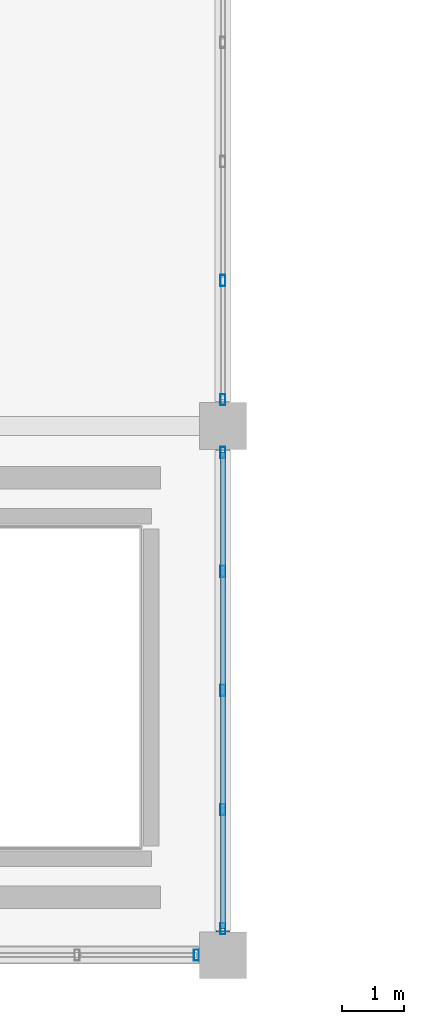
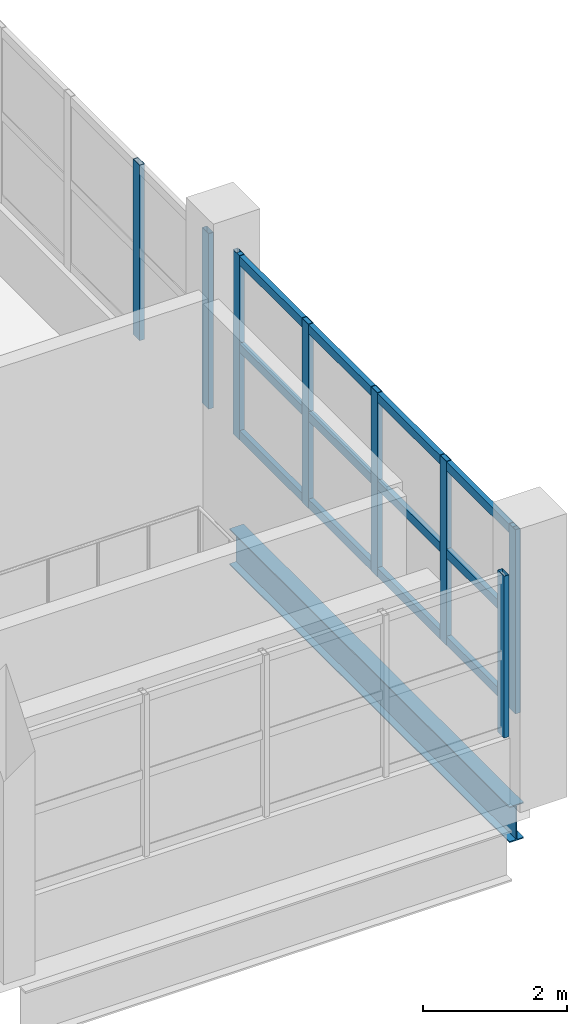
# One storey, part 43 of 77: 11 members, 1 beam, 3 elements without a shape of their own.
"""IFC4 building model written with IfcOpenShell, lengths in metres."""

import ifcopenshell
import ifcopenshell.guid

model = None  # the IFC model being written
_history = None  # IfcOwnerHistory: only IFC2X3 demands one
_inside = {}  # id of a spatial element -> (the spatial element, [elements in it])
_under = {}  # id of a project, library or spatial element -> (it, [spatial elements below it])
_declared = {}  # id of a project -> (the project, [libraries it declares])
_typed = {}  # id of a type object -> (the type object, [elements of that type])
_made_of = {}  # id of a material, layer set ... -> (it, [elements and type objects made of it])


def new_model(schema):
    """Start an empty IFC model of exactly this schema.

    Asked for "IFC4X3", IfcOpenShell would pick the latest addendum, in which some entities
    have other attributes; the version numbers below select the first issue.
    IFC2X3 requires an IfcOwnerHistory on every rooted entity: one is made here for all.
    """
    global model, _history
    if schema == "IFC4X3":
        model = ifcopenshell.file(schema_version=(4, 3, 0, 0))
    else:
        model = ifcopenshell.file(schema=schema)
    _inside.clear()
    _under.clear()
    _declared.clear()
    _typed.clear()
    _made_of.clear()
    _history = None
    if model.schema == "IFC2X3":
        org = make("IfcOrganization", Name="unknown")
        user = make(
            "IfcPersonAndOrganization",
            ThePerson=make("IfcPerson", FamilyName="unknown"),
            TheOrganization=org,
        )
        app = make(
            "IfcApplication",
            ApplicationDeveloper=org,
            Version="unknown",
            ApplicationFullName="unknown",
            ApplicationIdentifier="unknown",
        )
        _history = make(
            "IfcOwnerHistory",
            OwningUser=user,
            OwningApplication=app,
            ChangeAction="ADDED",
            CreationDate=0,
        )
    return model


def make(cls, **values):
    """One entity of the class cls with the attributes given. An attribute that is None is left unset."""
    return model.create_entity(
        cls, **{name: value for name, value in values.items() if value is not None}
    )


def rooted(cls, **values):
    """An entity with a GlobalId (a new one), such as an element, a storey or a relation."""
    return make(cls, GlobalId=ifcopenshell.guid.new(), OwnerHistory=_history, **values)


def si_unit(unit_type, name, prefix=None):
    """IfcSIUnit, for example si_unit("LENGTHUNIT", "METRE", prefix="MILLI")."""
    return make("IfcSIUnit", UnitType=unit_type, Prefix=prefix, Name=name)


def assignment(units):
    """IfcUnitAssignment: the units of a project."""
    return None if units is None else make("IfcUnitAssignment", Units=units)


def point(xyz):
    """IfcCartesianPoint."""
    return None if xyz is None else make("IfcCartesianPoint", Coordinates=xyz)


def direction(xyz):
    """IfcDirection."""
    return None if xyz is None else make("IfcDirection", DirectionRatios=xyz)


def frame(location, z_axis=None, x_axis=None):
    """IfcAxis2Placement3D, a coordinate frame: its origin and axes. An axis left out is left unset."""
    return make(
        "IfcAxis2Placement3D",
        Location=point(location),
        Axis=direction(z_axis),
        RefDirection=direction(x_axis),
    )


def frame_2d(location, x_axis=None):
    """IfcAxis2Placement2D, a coordinate frame in the plane: its origin and x axis."""
    return make(
        "IfcAxis2Placement2D", Location=point(location), RefDirection=direction(x_axis)
    )


def origin():
    """The frame at (0, 0, 0) with its axes left unset."""
    return frame((0.0, 0.0, 0.0))


def origin_2d():
    """The frame at (0, 0) in the plane with its x axis left unset."""
    return frame_2d((0.0, 0.0))


def place(relative_to, where):
    """IfcLocalPlacement: puts the frame where relative to a parent placement (None: the world)."""
    return make(
        "IfcLocalPlacement", PlacementRelTo=relative_to, RelativePlacement=where
    )


def context(
    kind, dimensions, precision=None, world=None, true_north=None, identifier=None
):
    """IfcGeometricRepresentationContext, for example the 3D "Model" context."""
    return make(
        "IfcGeometricRepresentationContext",
        ContextIdentifier=identifier,
        ContextType=kind,
        CoordinateSpaceDimension=dimensions,
        Precision=precision,
        WorldCoordinateSystem=world,
        TrueNorth=true_north,
    )


def subcontext(parent, identifier, kind, view, scale=None):
    """IfcGeometricRepresentationSubContext, for example "Body" below "Model"."""
    return make(
        "IfcGeometricRepresentationSubContext",
        ContextIdentifier=identifier,
        ContextType=kind,
        ParentContext=parent,
        TargetScale=scale,
        TargetView=view,
    )


def project(units=None, contexts=None):
    """IfcProject with its units and contexts."""
    return rooted(
        "IfcProject",
        Name="project",
        RepresentationContexts=contexts,
        UnitsInContext=assignment(units),
    )


def spatial(cls, under=None, at=None, **own):
    """A site, building, storey or space (cls), placed at a placement, below another one or the project."""
    s = rooted(cls, ObjectPlacement=at, **own)
    if under is not None:
        _under.setdefault(under.id(), (under, []))[1].append(s)
    return s


def profile(cls, at=None, kind="AREA", **sizes):
    """A parametric profile (cls). Its sizes go by their IFC names, for example OverallWidth=200.0."""
    return make(cls, ProfileType=kind, Position=at, **sizes)


def hollow_rectangle(**sizes):
    """IfcRectangleHollowProfileDef."""
    return profile("IfcRectangleHollowProfileDef", **sizes)


def i_section(**sizes):
    """IfcIShapeProfileDef."""
    return profile("IfcIShapeProfileDef", **sizes)


def extrude(swept, where, along, depth):
    """IfcExtrudedAreaSolid: the profile swept, set in the frame where, extruded along a direction by depth."""
    return make(
        "IfcExtrudedAreaSolid",
        SweptArea=swept,
        Position=where,
        ExtrudedDirection=direction(along),
        Depth=depth,
    )


def shape(context_of_items, identifier, shape_type, items):
    """IfcShapeRepresentation: the items that make up one representation, for example the "Body"."""
    return make(
        "IfcShapeRepresentation",
        ContextOfItems=context_of_items,
        RepresentationIdentifier=identifier,
        RepresentationType=shape_type,
        Items=items,
    )


def material(Name=None, Category=None):
    """IfcMaterial."""
    return make("IfcMaterial", Name=Name, Category=Category)


def material_profile(
    of_material, cross_section, Name=None, Category=None, Priority=None
):
    """IfcMaterialProfile: a cross section and its material."""
    return make(
        "IfcMaterialProfile",
        Name=Name,
        Material=of_material,
        Profile=cross_section,
        Priority=Priority,
        Category=Category,
    )


def profile_set(profiles, Name=None, composite=None):
    """IfcMaterialProfileSet."""
    return make(
        "IfcMaterialProfileSet",
        Name=Name,
        MaterialProfiles=profiles,
        CompositeProfile=composite,
    )


def made_of(thing, what):
    """Note that an element or type object is made of a material, layer set ...; save() writes the relation."""
    if what is not None:
        _made_of.setdefault(what.id(), (what, []))[1].append(thing)
    return thing


def type_object(cls, material=None, **own):
    """A type object (cls), such as IfcWallType, which elements share."""
    return made_of(rooted(cls, **own), material)


def element(
    cls,
    number,
    at=None,
    inside=None,
    cuts=None,
    type_object=None,
    material=None,
    context=None,
    identifier="Body",
    shape_type=None,
    held_by="IfcProductDefinitionShape",
    body=None,
    shapes=None,
    **own,
):
    """One element of the class cls, such as IfcWall. Its Tag is "e" and its number.

    at: its placement. inside: the storey or other place that contains it. cuts: it is an
    opening in that element (IfcRelVoidsElement). A single representation is given by context,
    identifier, shape_type and body (its items); several are given by shapes. held_by: the class
    of the entity that holds the representations. save() writes the other relations.
    """
    e = rooted(cls, Tag="e%d" % number, ObjectPlacement=at, **own)
    if body is not None:
        shapes = [shape(context, identifier, shape_type, body)]
    if shapes is not None:
        e.Representation = make(held_by, Representations=shapes)
    if inside is not None:
        _inside.setdefault(inside.id(), (inside, []))[1].append(e)
    if cuts is not None:
        rooted(
            "IfcRelVoidsElement", RelatingBuildingElement=cuts, RelatedOpeningElement=e
        )
    if type_object is not None:
        _typed.setdefault(type_object.id(), (type_object, []))[1].append(e)
    return made_of(e, material)


def aggregate(whole, parts):
    """IfcRelAggregates: a whole, such as a stair, and the parts it consists of."""
    return rooted("IfcRelAggregates", RelatingObject=whole, RelatedObjects=parts)


def save(model, path):
    """Write the relations noted so far, then the file.

    IfcRelAggregates (storeys below a building ...), IfcRelContainedInSpatialStructure (elements
    in a storey), IfcRelDefinesByType, IfcRelAssociatesMaterial and IfcRelDeclares: one each for
    every whole, place, type object, material and project.
    """
    for whole, parts in _under.values():
        aggregate(whole, parts)
    for where, things in _inside.values():
        rooted(
            "IfcRelContainedInSpatialStructure",
            RelatedElements=things,
            RelatingStructure=where,
        )
    for kind, things in _typed.values():
        rooted("IfcRelDefinesByType", RelatedObjects=things, RelatingType=kind)
    for what, things in _made_of.values():
        rooted("IfcRelAssociatesMaterial", RelatedObjects=things, RelatingMaterial=what)
    for by, libraries in _declared.values():
        rooted("IfcRelDeclares", RelatingContext=by, RelatedDefinitions=libraries)
    model.write(path)


model = new_model("IFC4")

# Units and contexts
model_context = context("Model", 3, precision=1e-05, world=origin(), true_north=direction((0.0, 1.0)))
body_context = subcontext(model_context, "Body", "Model", "MODEL_VIEW")
ifc_project = project(units=[si_unit("LENGTHUNIT", "METRE"), si_unit("AREAUNIT", "SQUARE_METRE"), si_unit("VOLUMEUNIT", "CUBIC_METRE"), si_unit("PLANEANGLEUNIT", "RADIAN"), si_unit("MASSUNIT", "GRAM", prefix="KILO")], contexts=[model_context])

# Site, building, storey
site_placement = place(None, origin())
site = spatial("IfcSite", under=ifc_project, at=site_placement, CompositionType="ELEMENT")
building_placement = place(site_placement, origin())
building = spatial("IfcBuilding", under=site, at=building_placement, Name="Solvento Point Concert Hall", CompositionType="ELEMENT")
storey_placement = place(building_placement, frame((0.0, 0.0, 10.199951171875)))
storey = spatial("IfcBuildingStorey", under=building, at=storey_placement, Name="L02", CompositionType="ELEMENT", Elevation=10.199951171875)

# Beam
ifc_material_1 = material(Name="Structural Steel ASTM A992 Grade 50", Category="steel")
ifc_material_profile_1 = material_profile(ifc_material_1, i_section(OverallWidth=0.228515625, OverallDepth=0.60791015625, WebThickness=0.01123046875, FlangeThickness=0.017333984375, at=origin_2d()), Name="W24X76")
ifc_profile_set_1 = profile_set([ifc_material_profile_1], Name="Structural Steel ASTM A992 Grade 50")
beam_type = type_object("IfcBeamType", Name="Beam_W24X76", PredefinedType="BEAM", material=ifc_profile_set_1)
beam_placement = place(storey_placement, frame((208.800048828125, 0.368896484375, -0.748046875), z_axis=(0.0, 1.0, 0.0), x_axis=(-1.0, 0.0, 0.0)))
element("IfcBeam", 1, at=beam_placement, inside=storey, type_object=beam_type, Name="Primary girder B-42 L02", PredefinedType="BEAM", context=body_context, shape_type="SweptSolid", body=[
    extrude(i_section(OverallWidth=0.228515625, OverallDepth=0.60791015625, WebThickness=0.01123046875, FlangeThickness=0.017333984375, at=origin_2d()), origin(), (0.0, 0.0, 1.0), 7.76220703125),
])

# Curtain wall, members
ifc_material_2 = material(Name="Anodized Bronze Aluminium", Category="aluminium")
curtain_wall_type = type_object("IfcCurtainWallType", Name="CurtainWall_ChamberCircle", PredefinedType="USERDEFINED", material=ifc_material_2)
curtain_wall_1_placement = place(storey_placement, origin())
curtain_wall_1 = element("IfcCurtainWall", 2, at=curtain_wall_1_placement, inside=storey, type_object=curtain_wall_type, Name="Unitised curtain wall CW-32 UCW-L02-152", ObjectType="UNITISED CURTAIN WALL", PredefinedType="USERDEFINED")
ifc_material_3 = material(Name="Anodized Bronze Aluminium", Category="aluminium")
ifc_material_profile_2 = material_profile(ifc_material_3, hollow_rectangle(XDim=0.080078125, YDim=0.179931640625, WallThickness=0.00390625, at=origin_2d()), Name="CW-MUL-80X180")
ifc_profile_set_2 = profile_set([ifc_material_profile_2], Name="Anodized Bronze Aluminium")
member_type_1 = type_object("IfcMemberType", Name="Mullion_80x180", PredefinedType="MULLION", material=ifc_profile_set_2)
member_1_placement = place(storey_placement, frame((208.800048828125, 0.425048828125, 1.1201171875), z_axis=(0.0, 0.0, 1.0), x_axis=(1.0, 0.0, 0.0)))
member_1 = element("IfcMember", 3, at=member_1_placement, type_object=member_type_1, Name="Curtain wall mullion ML-01", PredefinedType="MULLION", context=body_context, shape_type="SweptSolid", body=[
    extrude(hollow_rectangle(XDim=0.080078125, YDim=0.179931640625, WallThickness=0.00390625, at=origin_2d()), origin(), (0.0, 0.0, 1.0), 3.114990234375),
])
member_2_placement = place(storey_placement, frame((208.800048828125, 2.33740234375, 1.1201171875), z_axis=(0.0, 0.0, 1.0), x_axis=(1.0, 0.0, 0.0)))
member_2 = element("IfcMember", 4, at=member_2_placement, type_object=member_type_1, Name="Curtain wall mullion ML-01", PredefinedType="MULLION", context=body_context, shape_type="SweptSolid", body=[
    extrude(hollow_rectangle(XDim=0.080078125, YDim=0.179931640625, WallThickness=0.00390625, at=origin_2d()), origin(), (0.0, 0.0, 1.0), 3.114990234375),
])
member_3_placement = place(storey_placement, frame((208.800048828125, 4.25, 1.1201171875), z_axis=(0.0, 0.0, 1.0), x_axis=(1.0, 0.0, 0.0)))
member_3 = element("IfcMember", 5, at=member_3_placement, type_object=member_type_1, Name="Curtain wall mullion ML-01", PredefinedType="MULLION", context=body_context, shape_type="SweptSolid", body=[
    extrude(hollow_rectangle(XDim=0.080078125, YDim=0.179931640625, WallThickness=0.00390625, at=origin_2d()), origin(), (0.0, 0.0, 1.0), 3.114990234375),
])
member_4_placement = place(storey_placement, frame((208.800048828125, 6.16259765625, 1.1201171875), z_axis=(0.0, 0.0, 1.0), x_axis=(1.0, 0.0, 0.0)))
member_4 = element("IfcMember", 6, at=member_4_placement, type_object=member_type_1, Name="Curtain wall mullion ML-01", PredefinedType="MULLION", context=body_context, shape_type="SweptSolid", body=[
    extrude(hollow_rectangle(XDim=0.080078125, YDim=0.179931640625, WallThickness=0.00390625, at=origin_2d()), origin(), (0.0, 0.0, 1.0), 3.114990234375),
])
member_5_placement = place(storey_placement, frame((208.800048828125, 8.074951171875, 1.1201171875), z_axis=(0.0, 0.0, 1.0), x_axis=(1.0, 0.0, 0.0)))
member_5 = element("IfcMember", 7, at=member_5_placement, type_object=member_type_1, Name="Curtain wall mullion ML-01", PredefinedType="MULLION", context=body_context, shape_type="SweptSolid", body=[
    extrude(hollow_rectangle(XDim=0.080078125, YDim=0.179931640625, WallThickness=0.00390625, at=origin_2d()), origin(), (0.0, 0.0, 1.0), 3.114990234375),
])

curtain_wall_2_placement = place(storey_placement, origin())
curtain_wall_2 = element("IfcCurtainWall", 8, at=curtain_wall_2_placement, inside=storey, type_object=curtain_wall_type, Name="Unitised curtain wall CW-32 UCW-L02-153", ObjectType="UNITISED CURTAIN WALL", PredefinedType="USERDEFINED")
member_6_placement = place(storey_placement, frame((208.800048828125, 8.925048828125, 1.1201171875), z_axis=(0.0, 0.0, 1.0), x_axis=(1.0, 0.0, 0.0)))
member_6 = element("IfcMember", 9, at=member_6_placement, type_object=member_type_1, Name="Curtain wall mullion ML-01", PredefinedType="MULLION", context=body_context, shape_type="SweptSolid", body=[
    extrude(hollow_rectangle(XDim=0.080078125, YDim=0.179931640625, WallThickness=0.00390625, at=origin_2d()), origin(), (0.0, 0.0, 1.0), 2.970947265625),
])
member_7_placement = place(storey_placement, frame((208.800048828125, 10.83740234375, 1.1201171875), z_axis=(0.0, 0.0, 1.0), x_axis=(1.0, 0.0, 0.0)))
member_7 = element("IfcMember", 10, at=member_7_placement, type_object=member_type_1, Name="Curtain wall mullion ML-01", PredefinedType="MULLION", context=body_context, shape_type="SweptSolid", body=[
    extrude(hollow_rectangle(XDim=0.080078125, YDim=0.179931640625, WallThickness=0.00390625, at=origin_2d()), origin(), (0.0, 0.0, 1.0), 2.970947265625),
])
aggregate(curtain_wall_2, [member_6, member_7])

# Curtain wall, member
curtain_wall_3_placement = place(storey_placement, origin())
curtain_wall_3 = element("IfcCurtainWall", 11, at=curtain_wall_3_placement, inside=storey, type_object=curtain_wall_type, Name="Unitised curtain wall CW-32 UCW-L02-161", ObjectType="UNITISED CURTAIN WALL", PredefinedType="USERDEFINED")
member_8_placement = place(storey_placement, frame((208.375, 0.0, 1.1201171875), z_axis=(0.0, 0.0, 1.0), x_axis=(1.0, 0.0, 0.0)))
member_8 = element("IfcMember", 12, at=member_8_placement, type_object=member_type_1, Name="Curtain wall mullion ML-01", PredefinedType="MULLION", context=body_context, shape_type="SweptSolid", body=[
    extrude(hollow_rectangle(XDim=0.080078125, YDim=0.179931640625, WallThickness=0.00390625, at=origin_2d()), origin(), (0.0, 0.0, 1.0), 2.73681640625),
])
aggregate(curtain_wall_3, [member_8])

# Member
ifc_material_4 = material(Name="Anodized Bronze Aluminium", Category="aluminium")
ifc_material_profile_3 = material_profile(ifc_material_4, hollow_rectangle(XDim=0.080078125, YDim=0.14990234375, WallThickness=0.00390625, at=origin_2d()), Name="CW-TRN-80X150")
ifc_profile_set_3 = profile_set([ifc_material_profile_3], Name="Anodized Bronze Aluminium")
member_type_2 = type_object("IfcMemberType", Name="Transom_80x150", PredefinedType="USERDEFINED", material=ifc_profile_set_3)
member_9_placement = place(storey_placement, frame((208.800048828125, 0.425048828125, 1.199951171875), z_axis=(0.0, 1.0, 0.0), x_axis=(-1.0, 0.0, 0.0)))
member_9 = element("IfcMember", 13, at=member_9_placement, type_object=member_type_2, Name="Curtain wall transom TR-01", ObjectType="TRANSOM", PredefinedType="USERDEFINED", context=body_context, shape_type="SweptSolid", body=[
    extrude(hollow_rectangle(XDim=0.080078125, YDim=0.14990234375, WallThickness=0.00390625, at=origin_2d()), origin(), (0.0, 0.0, 1.0), 7.64990234375),
])

member_10_placement = place(storey_placement, frame((208.800048828125, 0.425048828125, 2.677490234375), z_axis=(0.0, 1.0, 0.0), x_axis=(-1.0, 0.0, 0.0)))
member_10 = element("IfcMember", 14, at=member_10_placement, type_object=member_type_2, Name="Curtain wall transom TR-01", ObjectType="TRANSOM", PredefinedType="USERDEFINED", context=body_context, shape_type="SweptSolid", body=[
    extrude(hollow_rectangle(XDim=0.080078125, YDim=0.14990234375, WallThickness=0.00390625, at=origin_2d()), origin(), (0.0, 0.0, 1.0), 7.64990234375),
])

member_11_placement = place(storey_placement, frame((208.800048828125, 0.425048828125, 4.155029296875), z_axis=(0.0, 1.0, 0.0), x_axis=(-1.0, 0.0, 0.0)))
member_11 = element("IfcMember", 15, at=member_11_placement, type_object=member_type_2, Name="Curtain wall transom TR-01", ObjectType="TRANSOM", PredefinedType="USERDEFINED", context=body_context, shape_type="SweptSolid", body=[
    extrude(hollow_rectangle(XDim=0.080078125, YDim=0.14990234375, WallThickness=0.00390625, at=origin_2d()), origin(), (0.0, 0.0, 1.0), 7.64990234375),
])

aggregate(curtain_wall_1, [member_1, member_2, member_3, member_4, member_5, member_9, member_10, member_11])

save(model, "model.ifc")
